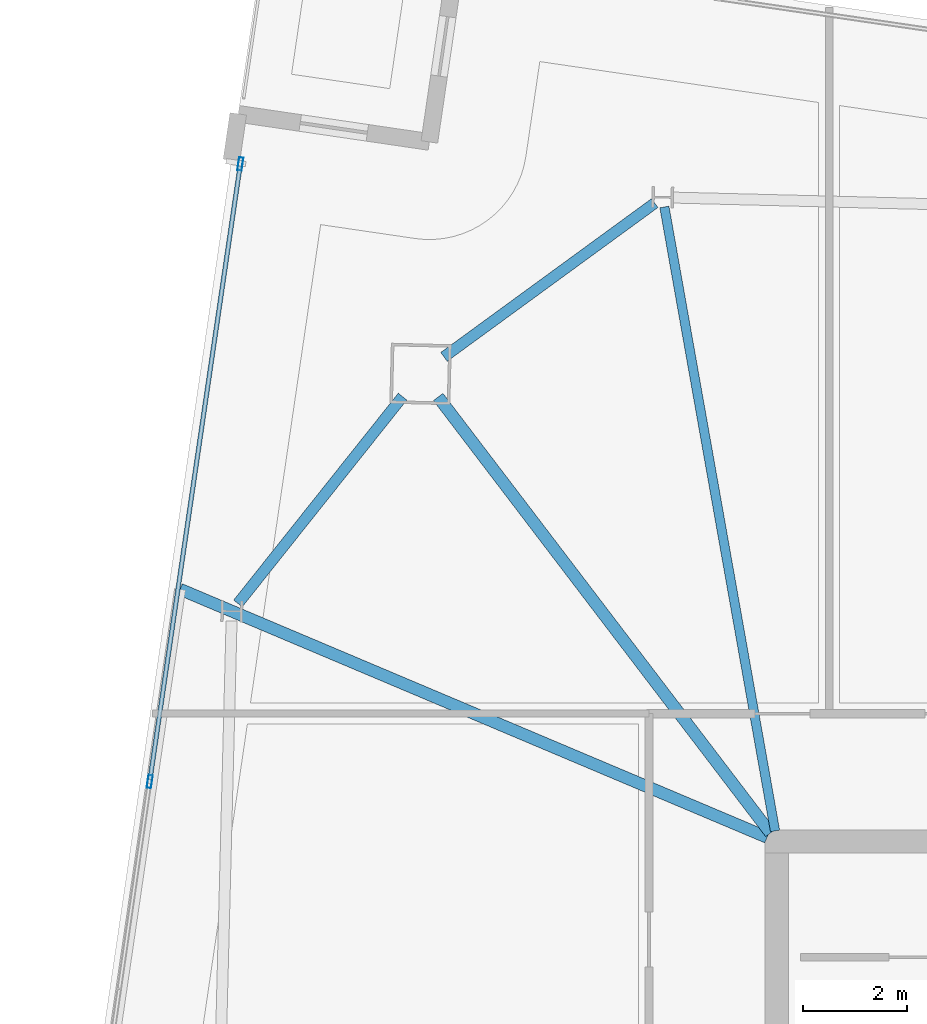
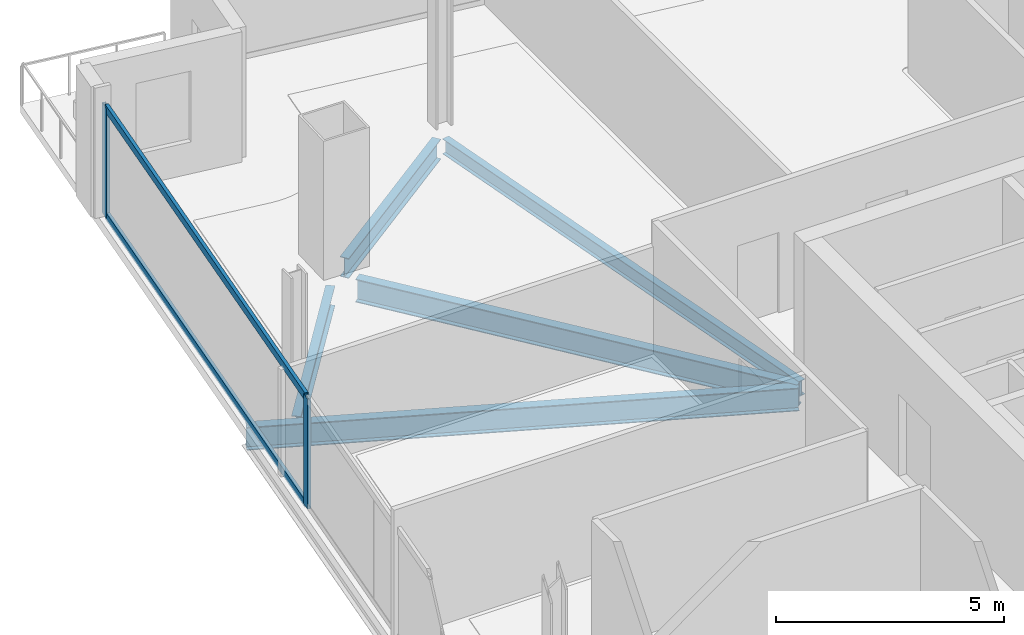
# One storey, part 11 of 22: 5 beams, 4 members, 1 element without a shape of its own.
"""IFC4 building model written with IfcOpenShell, lengths in metres."""

from ifc_helpers import new_model, si_unit, direction, frame, origin, origin_2d, place, context, subcontext, project, spatial, hollow_rectangle, i_section, extrude, material, material_profile, profile_set, type_object, element, aggregate, save


model = new_model("IFC4")

# Units and contexts
model_context = context("Model", 3, precision=1e-05, world=origin(), true_north=direction((0.0, 1.0)))
body_context = subcontext(model_context, "Body", "Model", "MODEL_VIEW")
ifc_project = project(units=[si_unit("LENGTHUNIT", "METRE"), si_unit("AREAUNIT", "SQUARE_METRE"), si_unit("VOLUMEUNIT", "CUBIC_METRE"), si_unit("PLANEANGLEUNIT", "RADIAN"), si_unit("MASSUNIT", "GRAM", prefix="KILO")], contexts=[model_context])

# Site, building, storey
site_placement = place(None, origin())
site = spatial("IfcSite", under=ifc_project, at=site_placement, CompositionType="ELEMENT")
building_placement = place(site_placement, origin())
building = spatial("IfcBuilding", under=site, at=building_placement, Name="Haldenkirk Collegiate Tower", CompositionType="ELEMENT")
storey_placement = place(building_placement, frame((0.0, 0.0, 302.699951171875)))
storey = spatial("IfcBuildingStorey", under=building, at=storey_placement, Name="L76", CompositionType="ELEMENT", Elevation=302.699951171875)

# Beams
ifc_material_1 = material(Name="Steel ASTM A992 Grade 50", Category="steel")
ifc_material_profile_1 = material_profile(ifc_material_1, i_section(OverallWidth=0.22998046875, OverallDepth=0.616943359375, WebThickness=0.01318359375, FlangeThickness=0.022216796875, at=origin_2d()), Name="W24X94")
ifc_profile_set_1 = profile_set([ifc_material_profile_1], Name="Steel ASTM A992 Grade 50")
beam_type_1 = type_object("IfcBeamType", Name="BM-GIRDER-W24X94", PredefinedType="BEAM", material=ifc_profile_set_1)
beam_1_placement = place(storey_placement, frame((20.510498046875, 42.514404296875, -0.568359375), z_axis=(0.606183308444, -0.79532496287, 0.0), x_axis=(0.79532496287, 0.606183308444, 0.0)))
element("IfcBeam", 1, at=beam_1_placement, inside=storey, type_object=beam_type_1, Name="L76 primary floor girder 03", PredefinedType="BEAM", context=body_context, shape_type="SweptSolid", body=[
    extrude(i_section(OverallWidth=0.22998046875, OverallDepth=0.616943359375, WebThickness=0.01318359375, FlangeThickness=0.022216796875, at=origin_2d()), origin(), (0.0, 0.0, 1.0), 10.50048828125),
])
beam_2_placement = place(storey_placement, frame((15.566650390625, 38.830810546875, -0.568359375), z_axis=(0.921154295493, -0.389197589785, 0.0), x_axis=(0.389197589785, 0.921154295493, 0.0)))
element("IfcBeam", 2, at=beam_2_placement, inside=storey, type_object=beam_type_1, Name="L76 primary floor girder 11", PredefinedType="BEAM", context=body_context, shape_type="SweptSolid", body=[
    extrude(i_section(OverallWidth=0.22998046875, OverallDepth=0.616943359375, WebThickness=0.01318359375, FlangeThickness=0.022216796875, at=origin_2d()), origin(), (0.0, 0.0, 1.0), 12.20703125),
])
ifc_material_profile_2 = material_profile(ifc_material_1, i_section(OverallWidth=0.177978515625, OverallDepth=0.406005859375, WebThickness=0.0078125, FlangeThickness=0.0126953125, at=origin_2d()), Name="W16X40")
ifc_profile_set_2 = profile_set([ifc_material_profile_2], Name="Steel ASTM A992 Grade 50")
beam_type_2 = type_object("IfcBeamType", Name="BM-JOIST-W16X40", PredefinedType="JOIST", material=ifc_profile_set_2)
beam_3_placement = place(storey_placement, frame((24.843994140625, 46.154541015625, -0.462890625), z_axis=(0.174650341591, -0.984630518612, 0.0), x_axis=(0.984630518612, 0.174650341591, 0.0)))
element("IfcBeam", 3, at=beam_3_placement, inside=storey, type_object=beam_type_2, Name="L76 composite floor joist 10", PredefinedType="JOIST", context=body_context, shape_type="SweptSolid", body=[
    extrude(i_section(OverallWidth=0.177978515625, OverallDepth=0.406005859375, WebThickness=0.0078125, FlangeThickness=0.0126953125, at=origin_2d()), origin(), (0.0, 0.0, 1.0), 12.13916015625),
])
ifc_material_profile_3 = material_profile(ifc_material_1, i_section(OverallWidth=0.2099609375, OverallDepth=0.537109375, WebThickness=0.010986328125, FlangeThickness=0.017333984375, at=origin_2d()), Name="W21X68")
ifc_profile_set_3 = profile_set([ifc_material_profile_3], Name="Steel ASTM A992 Grade 50")
beam_type_3 = type_object("IfcBeamType", Name="BM-SPANDREL-W21X68", PredefinedType="SPANDREL", material=ifc_profile_set_3)
beam_4_placement = place(storey_placement, frame((24.6591796875, 46.228759765625, -0.528564453125), z_axis=(-0.807792834001, -0.589466485338, 0.0), x_axis=(0.589466485338, -0.807792834001, 0.0)))
element("IfcBeam", 4, at=beam_4_placement, inside=storey, type_object=beam_type_3, Name="L76 perimeter spandrel beam 08", PredefinedType="SPANDREL", context=body_context, shape_type="SweptSolid", body=[
    extrude(i_section(OverallWidth=0.2099609375, OverallDepth=0.537109375, WebThickness=0.010986328125, FlangeThickness=0.017333984375, at=origin_2d()), origin(), (0.0, 0.0, 1.0), 4.997314453125),
])
beam_5_placement = place(storey_placement, frame((19.828369140625, 42.521484375, -0.528564453125), z_axis=(-0.622694005585, -0.782465446783, 0.0), x_axis=(0.782465446783, -0.622694005585, 0.0)))
element("IfcBeam", 5, at=beam_5_placement, inside=storey, type_object=beam_type_3, Name="L76 perimeter spandrel beam 09", PredefinedType="SPANDREL", context=body_context, shape_type="SweptSolid", body=[
    extrude(i_section(OverallWidth=0.2099609375, OverallDepth=0.537109375, WebThickness=0.010986328125, FlangeThickness=0.017333984375, at=origin_2d()), origin(), (0.0, 0.0, 1.0), 5.06396484375),
])

# Curtain wall, members
ifc_material_2 = material(Name="Anodised architectural bronze aluminium", Category="aluminium")
curtain_wall_type = type_object("IfcCurtainWallType", Name="CW-SYS1B-CONVEX-HI", PredefinedType="USERDEFINED", material=ifc_material_2)
curtain_wall_placement = place(storey_placement, origin())
curtain_wall = element("IfcCurtainWall", 6, at=curtain_wall_placement, inside=storey, type_object=curtain_wall_type, Name="L76 Upper tower high-wind convex bronze unitised curtain wall", ObjectType="UNITISED CURTAIN WALL", PredefinedType="USERDEFINED")
ifc_material_profile_4 = material_profile(ifc_material_2, hollow_rectangle(XDim=0.0849609375, YDim=0.25, WallThickness=0.0048828125, at=origin_2d()), Name="CW-MUL-1B")
ifc_profile_set_4 = profile_set([ifc_material_profile_4], Name="Anodised architectural bronze aluminium")
member_type_1 = type_object("IfcMemberType", Name="CW-MUL-1B", PredefinedType="MULLION", material=ifc_profile_set_4)
member_1_placement = place(storey_placement, frame((14.98583984375, 35.148681640625, 0.0), z_axis=(0.0, 0.0, 1.0), x_axis=(-0.989399423446, 0.145219767539, 0.0)))
member_1 = element("IfcMember", 7, at=member_1_placement, type_object=member_type_1, Name="CW-1B mullion 3", PredefinedType="MULLION", context=body_context, shape_type="SweptSolid", body=[
    extrude(hollow_rectangle(XDim=0.0849609375, YDim=0.25, WallThickness=0.0048828125, at=origin_2d()), origin(), (0.0, 0.0, 1.0), 2.947998046875),
])
member_2_placement = place(storey_placement, frame((16.72216796875, 46.979248046875, 0.0), z_axis=(0.0, 0.0, 1.0), x_axis=(-0.989399423446, 0.145219767539, 0.0)))
member_2 = element("IfcMember", 8, at=member_2_placement, type_object=member_type_1, Name="CW-1B mullion 4", PredefinedType="MULLION", context=body_context, shape_type="SweptSolid", body=[
    extrude(hollow_rectangle(XDim=0.0849609375, YDim=0.25, WallThickness=0.0048828125, at=origin_2d()), origin(), (0.0, 0.0, 1.0), 2.947998046875),
])
ifc_material_profile_5 = material_profile(ifc_material_2, hollow_rectangle(XDim=0.0849609375, YDim=0.199951171875, WallThickness=0.0048828125, at=origin_2d()), Name="CW-TRN-1B")
ifc_profile_set_5 = profile_set([ifc_material_profile_5], Name="Anodised architectural bronze aluminium")
member_type_2 = type_object("IfcMemberType", Name="CW-TRN-1B", PredefinedType="USERDEFINED", material=ifc_profile_set_5)
member_3_placement = place(storey_placement, frame((14.991943359375, 35.190673828125, 0.04248046875), z_axis=(0.145220476239, 0.989399319426, 0.0), x_axis=(-0.989399319426, 0.145220476239, 0.0)))
member_3 = element("IfcMember", 9, at=member_3_placement, type_object=member_type_2, Name="CW-1B transom 3.1", ObjectType="TRANSOM", PredefinedType="USERDEFINED", context=body_context, shape_type="SweptSolid", body=[
    extrude(hollow_rectangle(XDim=0.0849609375, YDim=0.199951171875, WallThickness=0.0048828125, at=origin_2d()), origin(), (0.0, 0.0, 1.0), 11.87255859375),
])
member_4_placement = place(storey_placement, frame((14.991943359375, 35.190673828125, 2.905517578125), z_axis=(0.145220476239, 0.989399319426, 0.0), x_axis=(-0.989399319426, 0.145220476239, 0.0)))
member_4 = element("IfcMember", 10, at=member_4_placement, type_object=member_type_2, Name="CW-1B transom 3.2", ObjectType="TRANSOM", PredefinedType="USERDEFINED", context=body_context, shape_type="SweptSolid", body=[
    extrude(hollow_rectangle(XDim=0.0849609375, YDim=0.199951171875, WallThickness=0.0048828125, at=origin_2d()), origin(), (0.0, 0.0, 1.0), 11.87255859375),
])
aggregate(curtain_wall, [member_1, member_2, member_3, member_4])

save(model, "model.ifc")
